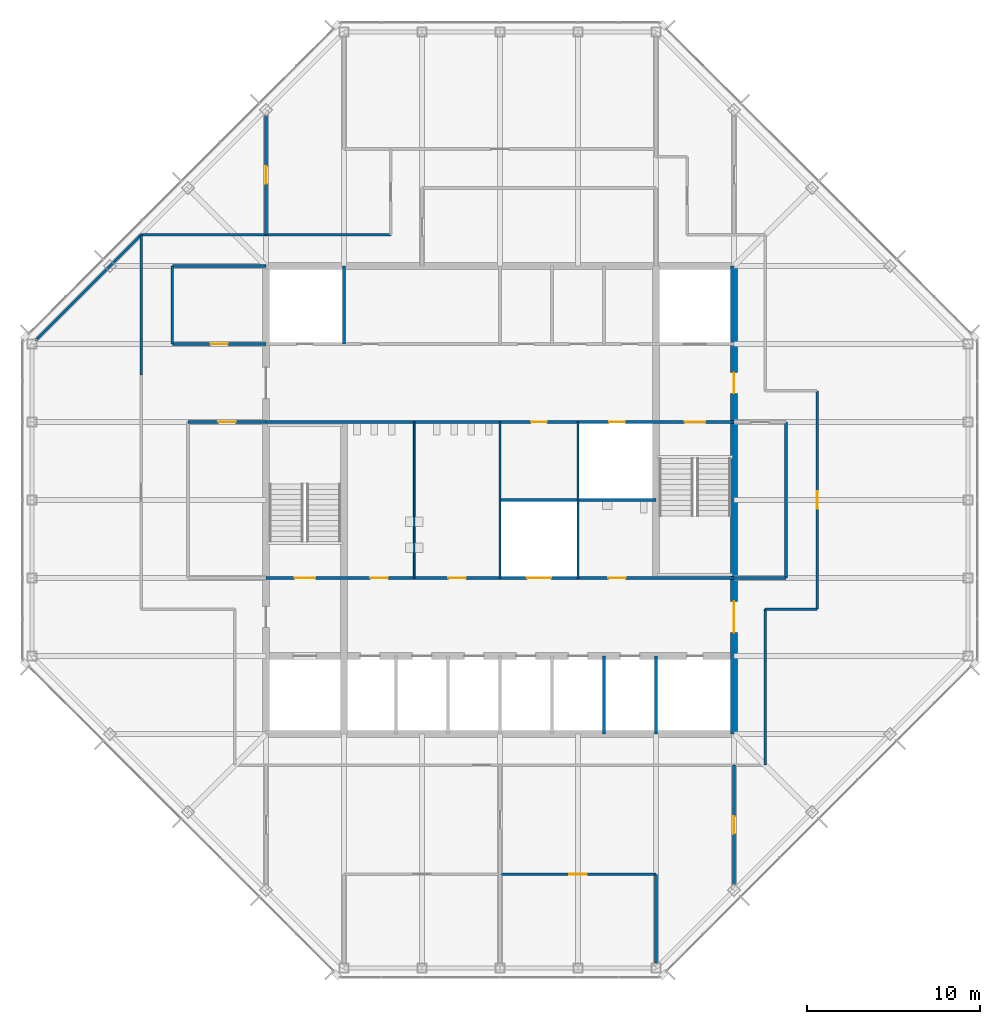
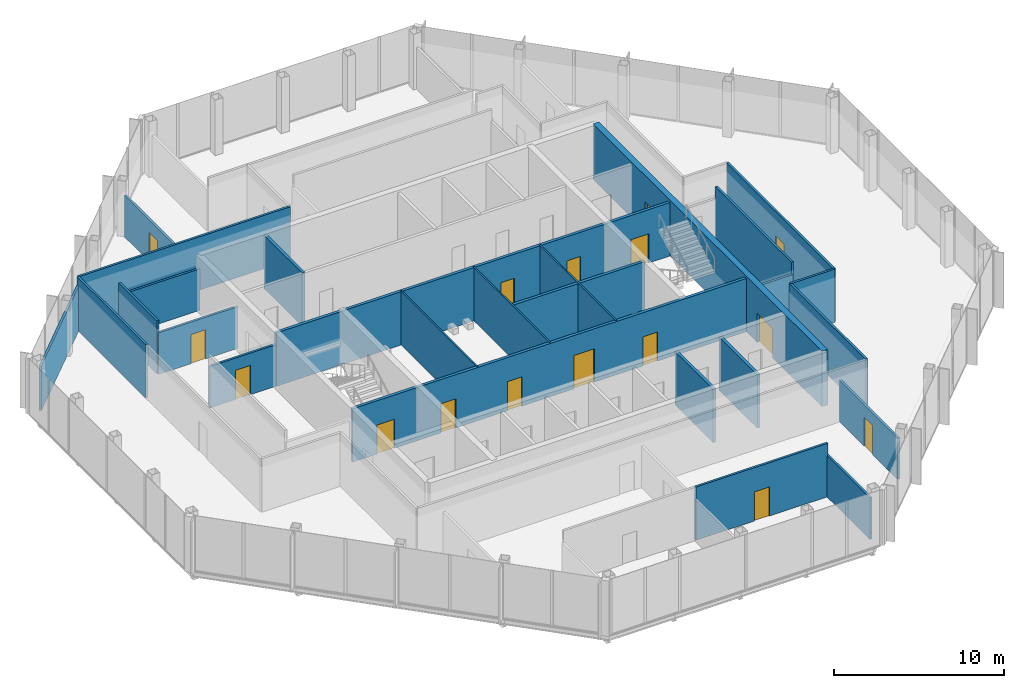
# One storey, part 10 of 13: 26 walls, 16 doors, 16 openings.
"""IFC4 building model written with IfcOpenShell, lengths in metres."""

from ifc_helpers import new_model, si_unit, direction, frame, frame_2d, origin, place, context, subcontext, project, spatial, rectangle, extrude, material, layer, layer_set, type_object, element, fill, save


model = new_model("IFC4")

# Units and contexts
model_context = context("Model", 3, precision=1e-05, world=origin(), true_north=direction((0.0, 1.0)))
body_context = subcontext(model_context, "Body", "Model", "MODEL_VIEW")
ifc_project = project(units=[si_unit("LENGTHUNIT", "METRE"), si_unit("AREAUNIT", "SQUARE_METRE"), si_unit("VOLUMEUNIT", "CUBIC_METRE"), si_unit("PLANEANGLEUNIT", "RADIAN"), si_unit("MASSUNIT", "GRAM", prefix="KILO")], contexts=[model_context])

# Site, building, storey
site_placement = place(None, origin())
site = spatial("IfcSite", under=ifc_project, at=site_placement, CompositionType="ELEMENT")
building_placement = place(site_placement, origin())
building = spatial("IfcBuilding", under=site, at=building_placement, Name="Corais Broadcast Tower", CompositionType="ELEMENT")
storey_placement = place(building_placement, frame((0.0, 0.0, 302.60009765625)))
storey = spatial("IfcBuildingStorey", under=building, at=storey_placement, Name="L71", CompositionType="ELEMENT", Elevation=302.60009765625)

# Walls
ifc_material_1 = material(Name="Concrete blockwork class A, grouted, two-hour", Category="masonry")
ifc_layer_1 = layer(ifc_material_1, 0.199951171875)
ifc_layer_set_1 = layer_set([ifc_layer_1], Name="Concrete blockwork class A, grouted, two-hour")
wall_type_1 = type_object("IfcWallType", Name="Core lobby wall 200", PredefinedType="SOLIDWALL", material=ifc_layer_set_1)
for number, where, z_axis, x_axis, name in (
    (1, (18.0, 36.0, 0.0), (0.0, 0.0, 1.0), (0.0, 1.0, 0.0), "CL3 core shaft wall X18B L71"),
    (2, (36.0, 13.5, 0.0), (0.0, 0.0, 1.0), (0.0, 1.0, 0.0), "CL3 core shaft wall X36A L71"),
):
    element("IfcWall", number, at=place(storey_placement, frame(where, z_axis=z_axis, x_axis=x_axis)), inside=storey, type_object=wall_type_1, Name=name, PredefinedType="SOLIDWALL", context=body_context, shape_type="SweptSolid", body=[
        extrude(rectangle(XDim=4.5, YDim=0.199951171875, at=frame_2d((2.25, 0.0))), origin(), (0.0, 0.0, 1.0), 3.83984375),
    ])

# Wall, openings, doors
wall_1_placement = place(storey_placement, frame((13.5, 22.5, 0.0), z_axis=(0.0, 0.0, 1.0), x_axis=(1.0, 0.0, 0.0)))
wall_1 = element("IfcWall", 3, at=wall_1_placement, inside=storey, type_object=wall_type_1, Name="CL3 core lobby wall Y225 L71", PredefinedType="SOLIDWALL", context=body_context, shape_type="SweptSolid", body=[
    extrude(rectangle(XDim=27.0, YDim=0.199951171875, at=frame_2d((13.5, 0.0))), origin(), (0.0, 0.0, 1.0), 3.83984375),
])
opening_1_placement = place(wall_1_placement, frame((1.64990234375, 0.0, 0.0)))
opening_1 = element("IfcOpeningElement", 4, at=opening_1_placement, cuts=wall_1, Name="Opening FD1", PredefinedType="OPENING", context=body_context, shape_type="SweptSolid", body=[
    extrude(rectangle(XDim=1.199951171875, YDim=2.10009765625, at=frame_2d((0.60009765625, 1.050048828125))), frame((0.0, 0.10986328125, 0.0), z_axis=(0.0, -1.0, 0.0), x_axis=(1.0, 0.0, 0.0)), (0.0, 0.0, 1.0), 0.219970703125),
])
opening_2_placement = place(wall_1_placement, frame((6.02490234375, 0.0, 0.0)))
opening_2 = element("IfcOpeningElement", 5, at=opening_2_placement, cuts=wall_1, Name="Opening WD1", PredefinedType="OPENING", context=body_context, shape_type="SweptSolid", body=[
    extrude(rectangle(XDim=1.0, YDim=2.10009765625, at=frame_2d((0.5, 1.050048828125))), frame((0.0, 0.10986328125, 0.0), z_axis=(0.0, -1.0, 0.0), x_axis=(1.0, 0.0, 0.0)), (0.0, 0.0, 1.0), 0.219970703125),
])
opening_3_placement = place(wall_1_placement, frame((10.52490234375, 0.0, 0.0)))
opening_3 = element("IfcOpeningElement", 6, at=opening_3_placement, cuts=wall_1, Name="Opening WD1", PredefinedType="OPENING", context=body_context, shape_type="SweptSolid", body=[
    extrude(rectangle(XDim=1.0, YDim=2.10009765625, at=frame_2d((0.5, 1.050048828125))), frame((0.0, 0.10986328125, 0.0), z_axis=(0.0, -1.0, 0.0), x_axis=(1.0, 0.0, 0.0)), (0.0, 0.0, 1.0), 0.219970703125),
])
opening_4_placement = place(wall_1_placement, frame((19.75, 0.0, 0.0)))
opening_4 = element("IfcOpeningElement", 7, at=opening_4_placement, cuts=wall_1, Name="Opening WD1", PredefinedType="OPENING", context=body_context, shape_type="SweptSolid", body=[
    extrude(rectangle(XDim=1.0, YDim=2.10009765625, at=frame_2d((0.5, 1.050048828125))), frame((0.0, 0.10986328125, 0.0), z_axis=(0.0, -1.0, 0.0), x_axis=(1.0, 0.0, 0.0)), (0.0, 0.0, 1.0), 0.219970703125),
])
opening_5_placement = place(wall_1_placement, frame((15.050048828125, 0.0, 0.0)))
opening_5 = element("IfcOpeningElement", 8, at=opening_5_placement, cuts=wall_1, Name="Opening LD3", PredefinedType="OPENING", context=body_context, shape_type="SweptSolid", body=[
    extrude(rectangle(XDim=1.39990234375, YDim=2.39990234375, at=frame_2d((0.699951171875, 1.199951171875))), frame((0.0, 0.10986328125, 0.0), z_axis=(0.0, -1.0, 0.0), x_axis=(1.0, 0.0, 0.0)), (0.0, 0.0, 1.0), 0.219970703125),
])
ifc_material_2 = material(Name="Steel fire door", Category="steel")
door_type_1 = type_object("IfcDoorType", Name="Fire door 1200x2100", OperationType="SINGLE_SWING_LEFT", PredefinedType="DOOR", material=ifc_material_2)
door_1_placement = place(opening_1_placement, origin())
door_1 = element("IfcDoor", 9, at=door_1_placement, inside=storey, type_object=door_type_1, Name="FD1 stair A door L71", OperationType="SINGLE_SWING_LEFT", OverallHeight=2.10009765625, OverallWidth=1.199951171875, PredefinedType="DOOR", context=body_context, shape_type="SweptSolid", body=[
    extrude(rectangle(XDim=1.199951171875, YDim=2.10009765625, at=frame_2d((0.60009765625, 1.050048828125))), frame((0.0, 0.02490234375, 0.0), z_axis=(0.0, -1.0, 0.0), x_axis=(1.0, 0.0, 0.0)), (0.0, 0.0, 1.0), 0.050048828125),
])
fill(opening_1, door_1)
ifc_material_3 = material(Name="Stainless steel lift door", Category="steel")
door_type_2 = type_object("IfcDoorType", Name="Service lift landing door 1400x2400", OperationType="SLIDING_TO_LEFT", PredefinedType="DOOR", material=ifc_material_3)
door_2_placement = place(opening_5_placement, origin())
door_2 = element("IfcDoor", 10, at=door_2_placement, inside=storey, type_object=door_type_2, Name="LD3 SL1 landing door L71", OperationType="SLIDING_TO_LEFT", OverallHeight=2.39990234375, OverallWidth=1.39990234375, PredefinedType="DOOR", context=body_context, shape_type="SweptSolid", body=[
    extrude(rectangle(XDim=1.39990234375, YDim=2.39990234375, at=frame_2d((0.699951171875, 1.199951171875))), frame((0.0, 0.02490234375, 0.0), z_axis=(0.0, -1.0, 0.0), x_axis=(1.0, 0.0, 0.0)), (0.0, 0.0, 1.0), 0.050048828125),
])
fill(opening_5, door_2)
ifc_material_4 = material(Name="Timber door", Category="wood")
door_type_3 = type_object("IfcDoorType", Name="Toilet door 1000x2100", OperationType="SINGLE_SWING_LEFT", PredefinedType="DOOR", material=ifc_material_4)
door_3_placement = place(opening_2_placement, origin())
door_3 = element("IfcDoor", 11, at=door_3_placement, inside=storey, type_object=door_type_3, Name="WD1 WC male door L71", OperationType="SINGLE_SWING_LEFT", OverallHeight=2.10009765625, OverallWidth=1.0, PredefinedType="DOOR", context=body_context, shape_type="SweptSolid", body=[
    extrude(rectangle(XDim=1.0, YDim=2.10009765625, at=frame_2d((0.5, 1.050048828125))), frame((0.0, 0.02490234375, 0.0), z_axis=(0.0, -1.0, 0.0), x_axis=(1.0, 0.0, 0.0)), (0.0, 0.0, 1.0), 0.050048828125),
])
fill(opening_2, door_3)
door_4_placement = place(opening_3_placement, origin())
door_4 = element("IfcDoor", 12, at=door_4_placement, inside=storey, type_object=door_type_3, Name="WD1 WC female door L71", OperationType="SINGLE_SWING_LEFT", OverallHeight=2.10009765625, OverallWidth=1.0, PredefinedType="DOOR", context=body_context, shape_type="SweptSolid", body=[
    extrude(rectangle(XDim=1.0, YDim=2.10009765625, at=frame_2d((0.5, 1.050048828125))), frame((0.0, 0.02490234375, 0.0), z_axis=(0.0, -1.0, 0.0), x_axis=(1.0, 0.0, 0.0)), (0.0, 0.0, 1.0), 0.050048828125),
])
fill(opening_3, door_4)
door_5_placement = place(opening_4_placement, origin())
door_5 = element("IfcDoor", 13, at=door_5_placement, inside=storey, type_object=door_type_3, Name="WD1 accessible WC door L71", OperationType="SINGLE_SWING_RIGHT", OverallHeight=2.10009765625, OverallWidth=1.0, PredefinedType="DOOR", context=body_context, shape_type="SweptSolid", body=[
    extrude(rectangle(XDim=1.0, YDim=2.10009765625, at=frame_2d((0.5, 1.050048828125))), frame((0.0, 0.02490234375, 0.0), z_axis=(0.0, -1.0, 0.0), x_axis=(1.0, 0.0, 0.0)), (0.0, 0.0, 1.0), 0.050048828125),
])
fill(opening_4, door_5)

wall_2_placement = place(storey_placement, frame((13.5, 31.5, 0.0), z_axis=(0.0, 0.0, 1.0), x_axis=(1.0, 0.0, 0.0)))
wall_2 = element("IfcWall", 14, at=wall_2_placement, inside=storey, type_object=wall_type_1, Name="CL3 core lobby wall Y315 L71", PredefinedType="SOLIDWALL", context=body_context, shape_type="SweptSolid", body=[
    extrude(rectangle(XDim=27.0, YDim=0.199951171875, at=frame_2d((13.5, 0.0))), origin(), (0.0, 0.0, 1.0), 3.83984375),
])
opening_6_placement = place(wall_2_placement, frame((24.14990234375, 0.0, 0.0)))
opening_6 = element("IfcOpeningElement", 15, at=opening_6_placement, cuts=wall_2, Name="Opening FD1", PredefinedType="OPENING", context=body_context, shape_type="SweptSolid", body=[
    extrude(rectangle(XDim=1.199951171875, YDim=2.10009765625, at=frame_2d((0.60009765625, 1.050048828125))), frame((0.0, 0.10986328125, 0.0), z_axis=(0.0, -1.0, 0.0), x_axis=(1.0, 0.0, 0.0)), (0.0, 0.0, 1.0), 0.219970703125),
])
opening_7_placement = place(wall_2_placement, frame((15.300048828125, 0.0, 0.0)))
opening_7 = element("IfcOpeningElement", 16, at=opening_7_placement, cuts=wall_2, Name="Opening RD1", PredefinedType="OPENING", context=body_context, shape_type="SweptSolid", body=[
    extrude(rectangle(XDim=0.89990234375, YDim=2.10009765625, at=frame_2d((0.449951171875, 1.050048828125))), frame((0.0, 0.10986328125, 0.0), z_axis=(0.0, -1.0, 0.0), x_axis=(1.0, 0.0, 0.0)), (0.0, 0.0, 1.0), 0.219970703125),
])
opening_8_placement = place(wall_2_placement, frame((19.800048828125, 0.0, 0.0)))
opening_8 = element("IfcOpeningElement", 17, at=opening_8_placement, cuts=wall_2, Name="Opening RD1", PredefinedType="OPENING", context=body_context, shape_type="SweptSolid", body=[
    extrude(rectangle(XDim=0.89990234375, YDim=2.10009765625, at=frame_2d((0.449951171875, 1.050048828125))), frame((0.0, 0.10986328125, 0.0), z_axis=(0.0, -1.0, 0.0), x_axis=(1.0, 0.0, 0.0)), (0.0, 0.0, 1.0), 0.219970703125),
])
door_6_placement = place(opening_6_placement, origin())
door_6 = element("IfcDoor", 18, at=door_6_placement, inside=storey, type_object=door_type_1, Name="FD1 stair B door L71", OperationType="SINGLE_SWING_RIGHT", OverallHeight=2.10009765625, OverallWidth=1.199951171875, PredefinedType="DOOR", context=body_context, shape_type="SweptSolid", body=[
    extrude(rectangle(XDim=1.199951171875, YDim=2.10009765625, at=frame_2d((0.60009765625, 1.050048828125))), frame((0.0, 0.02490234375, 0.0), z_axis=(0.0, -1.0, 0.0), x_axis=(1.0, 0.0, 0.0)), (0.0, 0.0, 1.0), 0.050048828125),
])
fill(opening_6, door_6)
ifc_material_5 = material(Name="Steel fire door", Category="steel")
door_type_4 = type_object("IfcDoorType", Name="Riser door 900x2100", OperationType="SINGLE_SWING_LEFT", PredefinedType="DOOR", material=ifc_material_5)
door_7_placement = place(opening_7_placement, origin())
door_7 = element("IfcDoor", 19, at=door_7_placement, inside=storey, type_object=door_type_4, Name="RD1 tea point door L71", OperationType="SINGLE_SWING_RIGHT", OverallHeight=2.10009765625, OverallWidth=0.89990234375, PredefinedType="DOOR", context=body_context, shape_type="SweptSolid", body=[
    extrude(rectangle(XDim=0.89990234375, YDim=2.10009765625, at=frame_2d((0.449951171875, 1.050048828125))), frame((0.0, 0.02490234375, 0.0), z_axis=(0.0, -1.0, 0.0), x_axis=(1.0, 0.0, 0.0)), (0.0, 0.0, 1.0), 0.050048828125),
])
fill(opening_7, door_7)
door_8_placement = place(opening_8_placement, origin())
door_8 = element("IfcDoor", 20, at=door_8_placement, inside=storey, type_object=door_type_4, Name="RD1 riser door L71", OperationType="SINGLE_SWING_RIGHT", OverallHeight=2.10009765625, OverallWidth=0.89990234375, PredefinedType="DOOR", context=body_context, shape_type="SweptSolid", body=[
    extrude(rectangle(XDim=0.89990234375, YDim=2.10009765625, at=frame_2d((0.449951171875, 1.050048828125))), frame((0.0, 0.02490234375, 0.0), z_axis=(0.0, -1.0, 0.0), x_axis=(1.0, 0.0, 0.0)), (0.0, 0.0, 1.0), 0.050048828125),
])
fill(opening_8, door_8)

ifc_material_6 = material(Name="Concrete C50/60", Category="concrete")
ifc_layer_2 = layer(ifc_material_6, 0.39990234375)
ifc_layer_set_2 = layer_set([ifc_layer_2], Name="Concrete C50/60")
wall_type_2 = type_object("IfcWallType", Name="Core wall 400", PredefinedType="SHEAR", material=ifc_layer_set_2)
wall_3_placement = place(storey_placement, frame((40.5, 13.5, 0.0), z_axis=(0.0, 0.0, 1.0), x_axis=(0.0, 1.0, 0.0)))
wall_3 = element("IfcWall", 21, at=wall_3_placement, inside=storey, type_object=wall_type_2, Name="CR400 core wall E L71", PredefinedType="SHEAR", context=body_context, shape_type="SweptSolid", body=[
    extrude(rectangle(XDim=27.0, YDim=0.39990234375, at=frame_2d((13.5, 0.0))), origin(), (0.0, 0.0, 1.0), 4.0),
])
opening_9_placement = place(wall_3_placement, frame((5.85009765625, 0.0, 0.0)))
opening_9 = element("IfcOpeningElement", 22, at=opening_9_placement, cuts=wall_3, Name="Opening FD2", PredefinedType="OPENING", context=body_context, shape_type="SweptSolid", body=[
    extrude(rectangle(XDim=1.800048828125, YDim=2.10009765625, at=frame_2d((0.89990234375, 1.050048828125))), frame((0.0, 0.2099609375, 0.0), z_axis=(0.0, -1.0, 0.0), x_axis=(1.0, 0.0, 0.0)), (0.0, 0.0, 1.0), 0.419921875),
])
opening_10_placement = place(wall_3_placement, frame((19.64990234375, 0.0, 0.0)))
opening_10 = element("IfcOpeningElement", 23, at=opening_10_placement, cuts=wall_3, Name="Opening FD1", PredefinedType="OPENING", context=body_context, shape_type="SweptSolid", body=[
    extrude(rectangle(XDim=1.199951171875, YDim=2.10009765625, at=frame_2d((0.60009765625, 1.050048828125))), frame((0.0, 0.2099609375, 0.0), z_axis=(0.0, -1.0, 0.0), x_axis=(1.0, 0.0, 0.0)), (0.0, 0.0, 1.0), 0.419921875),
])
door_9_placement = place(opening_10_placement, origin())
door_9 = element("IfcDoor", 24, at=door_9_placement, inside=storey, type_object=door_type_1, Name="FD1 fire lobby B door L71", OperationType="SINGLE_SWING_RIGHT", OverallHeight=2.10009765625, OverallWidth=1.199951171875, PredefinedType="DOOR", context=body_context, shape_type="SweptSolid", body=[
    extrude(rectangle(XDim=1.199951171875, YDim=2.10009765625, at=frame_2d((0.60009765625, 1.050048828125))), frame((0.0, 0.02490234375, 0.0), z_axis=(0.0, -1.0, 0.0), x_axis=(1.0, 0.0, 0.0)), (0.0, 0.0, 1.0), 0.050048828125),
])
fill(opening_10, door_9)
ifc_material_7 = material(Name="Steel fire door", Category="steel")
door_type_5 = type_object("IfcDoorType", Name="Fire door pair 1800x2100", OperationType="DOUBLE_DOOR_SINGLE_SWING", PredefinedType="DOOR", material=ifc_material_7)
door_10_placement = place(opening_9_placement, origin())
door_10 = element("IfcDoor", 25, at=door_10_placement, inside=storey, type_object=door_type_5, Name="FD2 lift lobby door L71", OperationType="SINGLE_SWING_LEFT", OverallHeight=2.10009765625, OverallWidth=1.800048828125, PredefinedType="DOOR", context=body_context, shape_type="SweptSolid", body=[
    extrude(rectangle(XDim=1.800048828125, YDim=2.10009765625, at=frame_2d((0.89990234375, 1.050048828125))), frame((0.0, 0.02490234375, 0.0), z_axis=(0.0, -1.0, 0.0), x_axis=(1.0, 0.0, 0.0)), (0.0, 0.0, 1.0), 0.050048828125),
])
fill(opening_9, door_10)

# Wall, opening, door
ifc_material_8 = material(Name="Gypsum board on steel studs", Category="steel")
ifc_layer_3 = layer(ifc_material_8, 0.14990234375)
ifc_layer_set_3 = layer_set([ifc_layer_3], Name="Gypsum board on steel studs")
wall_type_3 = type_object("IfcWallType", Name="Partition 150", PredefinedType="PARTITIONING", material=ifc_layer_set_3)
wall_4_placement = place(storey_placement, frame((45.300048828125, 20.699951171875, 0.0), z_axis=(0.0, 0.0, 1.0), x_axis=(0.0, 1.0, 0.0)))
wall_4 = element("IfcWall", 26, at=wall_4_placement, inside=storey, type_object=wall_type_3, Name="IW3 corridor wall L71", PredefinedType="PARTITIONING", context=body_context, shape_type="SweptSolid", body=[
    extrude(rectangle(XDim=12.60009765625, YDim=0.14990234375, at=frame_2d((6.300048828125, 0.0))), origin(), (0.0, 0.0, 1.0), 3.83984375),
])
opening_11_placement = place(wall_4_placement, frame((5.800048828125, 0.0, 0.0)))
opening_11 = element("IfcOpeningElement", 27, at=opening_11_placement, cuts=wall_4, Name="Opening D1", PredefinedType="OPENING", context=body_context, shape_type="SweptSolid", body=[
    extrude(rectangle(XDim=1.0, YDim=2.10009765625, at=frame_2d((0.5, 1.050048828125))), frame((0.0, 0.0849609375, 0.0), z_axis=(0.0, -1.0, 0.0), x_axis=(1.0, 0.0, 0.0)), (0.0, 0.0, 1.0), 0.169921875),
])
ifc_material_9 = material(Name="Timber door", Category="wood")
door_type_6 = type_object("IfcDoorType", Name="Single door 1000x2100", OperationType="SINGLE_SWING_LEFT", PredefinedType="DOOR", material=ifc_material_9)
door_11_placement = place(opening_11_placement, origin())
door_11 = element("IfcDoor", 28, at=door_11_placement, inside=storey, type_object=door_type_6, Name="D1 workplace door L71", OperationType="SINGLE_SWING_LEFT", OverallHeight=2.10009765625, OverallWidth=1.0, PredefinedType="DOOR", context=body_context, shape_type="SweptSolid", body=[
    extrude(rectangle(XDim=1.0, YDim=2.10009765625, at=frame_2d((0.5, 1.050048828125))), frame((0.0, 0.02490234375, 0.0), z_axis=(0.0, -1.0, 0.0), x_axis=(1.0, 0.0, 0.0)), (0.0, 0.0, 1.0), 0.050048828125),
])
fill(opening_11, door_11)

# Walls
wall_5_placement = place(storey_placement, frame((42.300048828125, 11.699951171875, 0.0), z_axis=(0.0, 0.0, 1.0), x_axis=(0.0, 1.0, 0.0)))
element("IfcWall", 29, at=wall_5_placement, inside=storey, type_object=wall_type_3, Name="IW3 corridor wall L71", PredefinedType="PARTITIONING", context=body_context, shape_type="SweptSolid", body=[
    extrude(rectangle(XDim=9.0, YDim=0.14990234375, at=frame_2d((4.5, 0.0))), origin(), (0.0, 0.0, 1.0), 3.83984375),
])
wall_6_placement = place(storey_placement, frame((0.201416015625, 36.201416015625, 0.0), z_axis=(0.0, 0.0, 1.0), x_axis=(0.707106781187, 0.707106781187, 0.0)))
element("IfcWall", 30, at=wall_6_placement, inside=storey, type_object=wall_type_3, Name="IW3 corridor wall L71", PredefinedType="PARTITIONING", context=body_context, shape_type="SweptSolid", body=[
    extrude(rectangle(XDim=8.624755859375, YDim=0.14990234375, at=frame_2d((4.3125, 0.0))), origin(), (0.0, 0.0, 1.0), 3.222900390625),
])
wall_7_placement = place(storey_placement, frame((6.300048828125, 42.300048828125, 0.0), z_axis=(0.0, 0.0, 1.0), x_axis=(0.0, -1.0, 0.0)))
element("IfcWall", 31, at=wall_7_placement, inside=storey, type_object=wall_type_3, Name="IW3 corridor wall L71", PredefinedType="PARTITIONING", context=body_context, shape_type="SweptSolid", body=[
    extrude(rectangle(XDim=8.10009765625, YDim=0.14990234375, at=frame_2d((4.050048828125, 0.0))), origin(), (0.0, 0.0, 1.0), 3.83984375),
])
wall_8_placement = place(storey_placement, frame((42.300048828125, 20.699951171875, 0.0), z_axis=(0.0, 0.0, 1.0), x_axis=(1.0, 0.0, 0.0)))
element("IfcWall", 32, at=wall_8_placement, inside=storey, type_object=wall_type_3, Name="IW3 corridor wall L71", PredefinedType="PARTITIONING", context=body_context, shape_type="SweptSolid", body=[
    extrude(rectangle(XDim=3.0, YDim=0.14990234375, at=frame_2d((1.5, 0.0))), origin(), (0.0, 0.0, 1.0), 3.83984375),
])
wall_9_placement = place(storey_placement, frame((20.699951171875, 42.300048828125, 0.0), z_axis=(0.0, 0.0, 1.0), x_axis=(-1.0, 0.0, 0.0)))
element("IfcWall", 33, at=wall_9_placement, inside=storey, type_object=wall_type_3, Name="IW3 corridor wall L71", PredefinedType="PARTITIONING", context=body_context, shape_type="SweptSolid", body=[
    extrude(rectangle(XDim=14.39990234375, YDim=0.14990234375, at=frame_2d((7.199951171875, 0.0))), origin(), (0.0, 0.0, 1.0), 3.83984375),
])
wall_10_placement = place(storey_placement, frame((36.0, 0.284912109375, 0.0), z_axis=(0.0, 0.0, 1.0), x_axis=(0.0, 1.0, 0.0)))
element("IfcWall", 34, at=wall_10_placement, inside=storey, type_object=wall_type_3, Name="IW3 partition L71", PredefinedType="PARTITIONING", context=body_context, shape_type="SweptSolid", body=[
    extrude(rectangle(XDim=5.114990234375, YDim=0.14990234375, at=frame_2d((2.5576171875, 0.0))), origin(), (0.0, 0.0, 1.0), 2.989013671875),
])

# Wall, opening, door
wall_11_placement = place(storey_placement, frame((36.0, 5.39990234375, 0.0), z_axis=(0.0, 0.0, 1.0), x_axis=(-1.0, 0.0, 0.0)))
wall_11 = element("IfcWall", 35, at=wall_11_placement, inside=storey, type_object=wall_type_3, Name="IW3 partition L71", PredefinedType="PARTITIONING", context=body_context, shape_type="SweptSolid", body=[
    extrude(rectangle(XDim=9.0, YDim=0.14990234375, at=frame_2d((4.5, 0.0))), origin(), (0.0, 0.0, 1.0), 3.83984375),
])
opening_12_placement = place(wall_11_placement, frame((4.0, 0.0, 0.0)))
opening_12 = element("IfcOpeningElement", 36, at=opening_12_placement, cuts=wall_11, Name="Opening D1", PredefinedType="OPENING", context=body_context, shape_type="SweptSolid", body=[
    extrude(rectangle(XDim=1.0, YDim=2.10009765625, at=frame_2d((0.5, 1.050048828125))), frame((0.0, 0.0849609375, 0.0), z_axis=(0.0, -1.0, 0.0), x_axis=(1.0, 0.0, 0.0)), (0.0, 0.0, 1.0), 0.169921875),
])
door_12_placement = place(opening_12_placement, origin())
door_12 = element("IfcDoor", 37, at=door_12_placement, inside=storey, type_object=door_type_6, Name="D1 Hospitality meeting room door", OperationType="SINGLE_SWING_LEFT", OverallHeight=2.10009765625, OverallWidth=1.0, PredefinedType="DOOR", context=body_context, shape_type="SweptSolid", body=[
    extrude(rectangle(XDim=1.0, YDim=2.10009765625, at=frame_2d((0.5, 1.050048828125))), frame((0.0, 0.02490234375, 0.0), z_axis=(0.0, -1.0, 0.0), x_axis=(1.0, 0.0, 0.0)), (0.0, 0.0, 1.0), 0.050048828125),
])
fill(opening_12, door_12)

# Walls
wall_12_placement = place(storey_placement, frame((40.5, 22.5, 0.0), z_axis=(0.0, 0.0, 1.0), x_axis=(1.0, 0.0, 0.0)))
element("IfcWall", 38, at=wall_12_placement, inside=storey, type_object=wall_type_3, Name="IW3 partition L71", PredefinedType="PARTITIONING", context=body_context, shape_type="SweptSolid", body=[
    extrude(rectangle(XDim=3.0, YDim=0.14990234375, at=frame_2d((1.5, 0.0))), origin(), (0.0, 0.0, 1.0), 2.989013671875),
])
wall_13_placement = place(storey_placement, frame((43.5, 22.5, 0.0), z_axis=(0.0, 0.0, 1.0), x_axis=(0.0, 1.0, 0.0)))
element("IfcWall", 39, at=wall_13_placement, inside=storey, type_object=wall_type_3, Name="IW3 partition L71", PredefinedType="PARTITIONING", context=body_context, shape_type="SweptSolid", body=[
    extrude(rectangle(XDim=9.0, YDim=0.14990234375, at=frame_2d((4.5, 0.0))), origin(), (0.0, 0.0, 1.0), 3.83984375),
])

# Wall, opening, door
wall_14_placement = place(storey_placement, frame((13.5, 31.5, 0.0), z_axis=(0.0, 0.0, 1.0), x_axis=(-1.0, 0.0, 0.0)))
wall_14 = element("IfcWall", 40, at=wall_14_placement, inside=storey, type_object=wall_type_3, Name="IW3 partition L71", PredefinedType="PARTITIONING", context=body_context, shape_type="SweptSolid", body=[
    extrude(rectangle(XDim=4.5, YDim=0.14990234375, at=frame_2d((2.25, 0.0))), origin(), (0.0, 0.0, 1.0), 2.989013671875),
])
opening_13_placement = place(wall_14_placement, frame((1.75, 0.0, 0.0)))
opening_13 = element("IfcOpeningElement", 41, at=opening_13_placement, cuts=wall_14, Name="Opening D1", PredefinedType="OPENING", context=body_context, shape_type="SweptSolid", body=[
    extrude(rectangle(XDim=1.0, YDim=2.10009765625, at=frame_2d((0.5, 1.050048828125))), frame((0.0, 0.0849609375, 0.0), z_axis=(0.0, -1.0, 0.0), x_axis=(1.0, 0.0, 0.0)), (0.0, 0.0, 1.0), 0.169921875),
])
door_13_placement = place(opening_13_placement, origin())
door_13 = element("IfcDoor", 42, at=door_13_placement, inside=storey, type_object=door_type_6, Name="D1 Concierge door", OperationType="SINGLE_SWING_LEFT", OverallHeight=2.10009765625, OverallWidth=1.0, PredefinedType="DOOR", context=body_context, shape_type="SweptSolid", body=[
    extrude(rectangle(XDim=1.0, YDim=2.10009765625, at=frame_2d((0.5, 1.050048828125))), frame((0.0, 0.02490234375, 0.0), z_axis=(0.0, -1.0, 0.0), x_axis=(1.0, 0.0, 0.0)), (0.0, 0.0, 1.0), 0.050048828125),
])
fill(opening_13, door_13)

wall_15_placement = place(storey_placement, frame((8.10009765625, 36.0, 0.0), z_axis=(0.0, 0.0, 1.0), x_axis=(1.0, 0.0, 0.0)))
wall_15 = element("IfcWall", 43, at=wall_15_placement, inside=storey, type_object=wall_type_3, Name="IW3 partition L71", PredefinedType="PARTITIONING", context=body_context, shape_type="SweptSolid", body=[
    extrude(rectangle(XDim=5.39990234375, YDim=0.14990234375, at=frame_2d((2.699951171875, 0.0))), origin(), (0.0, 0.0, 1.0), 2.989013671875),
])
opening_14_placement = place(wall_15_placement, frame((2.199951171875, 0.0, 0.0)))
opening_14 = element("IfcOpeningElement", 44, at=opening_14_placement, cuts=wall_15, Name="Opening D1", PredefinedType="OPENING", context=body_context, shape_type="SweptSolid", body=[
    extrude(rectangle(XDim=1.0, YDim=2.10009765625, at=frame_2d((0.5, 1.050048828125))), frame((0.0, 0.0849609375, 0.0), z_axis=(0.0, -1.0, 0.0), x_axis=(1.0, 0.0, 0.0)), (0.0, 0.0, 1.0), 0.169921875),
])
door_14_placement = place(opening_14_placement, origin())
door_14 = element("IfcDoor", 45, at=door_14_placement, inside=storey, type_object=door_type_6, Name="D1 Cloakroom door", OperationType="SINGLE_SWING_LEFT", OverallHeight=2.10009765625, OverallWidth=1.0, PredefinedType="DOOR", context=body_context, shape_type="SweptSolid", body=[
    extrude(rectangle(XDim=1.0, YDim=2.10009765625, at=frame_2d((0.5, 1.050048828125))), frame((0.0, 0.02490234375, 0.0), z_axis=(0.0, -1.0, 0.0), x_axis=(1.0, 0.0, 0.0)), (0.0, 0.0, 1.0), 0.050048828125),
])
fill(opening_14, door_14)

# Walls
wall_16_placement = place(storey_placement, frame((13.5, 40.5, 0.0), z_axis=(0.0, 0.0, 1.0), x_axis=(-1.0, 0.0, 0.0)))
element("IfcWall", 46, at=wall_16_placement, inside=storey, type_object=wall_type_3, Name="IW3 partition L71", PredefinedType="PARTITIONING", context=body_context, shape_type="SweptSolid", body=[
    extrude(rectangle(XDim=5.39990234375, YDim=0.14990234375, at=frame_2d((2.699951171875, 0.0))), origin(), (0.0, 0.0, 1.0), 2.989013671875),
])
wall_17_placement = place(storey_placement, frame((8.10009765625, 40.5, 0.0), z_axis=(0.0, 0.0, 1.0), x_axis=(0.0, -1.0, 0.0)))
element("IfcWall", 47, at=wall_17_placement, inside=storey, type_object=wall_type_3, Name="IW3 partition L71", PredefinedType="PARTITIONING", context=body_context, shape_type="SweptSolid", body=[
    extrude(rectangle(XDim=4.5, YDim=0.14990234375, at=frame_2d((2.25, 0.0))), origin(), (0.0, 0.0, 1.0), 3.83984375),
])

# Wall, opening, door
wall_18_placement = place(storey_placement, frame((40.5, 4.794921875, 0.0), z_axis=(0.0, 0.0, 1.0), x_axis=(0.0, 1.0, 0.0)))
wall_18 = element("IfcWall", 48, at=wall_18_placement, inside=storey, type_object=wall_type_3, Name="IW3 partition L71", PredefinedType="PARTITIONING", context=body_context, shape_type="SweptSolid", body=[
    extrude(rectangle(XDim=6.905029296875, YDim=0.14990234375, at=frame_2d((3.45263671875, 0.0))), origin(), (0.0, 0.0, 1.0), 2.989013671875),
])
opening_15_placement = place(wall_18_placement, frame((2.952392578125, 0.0, 0.0)))
opening_15 = element("IfcOpeningElement", 49, at=opening_15_placement, cuts=wall_18, Name="Opening D1", PredefinedType="OPENING", context=body_context, shape_type="SweptSolid", body=[
    extrude(rectangle(XDim=1.0, YDim=2.10009765625, at=frame_2d((0.5, 1.050048828125))), frame((0.0, 0.0849609375, 0.0), z_axis=(0.0, -1.0, 0.0), x_axis=(1.0, 0.0, 0.0)), (0.0, 0.0, 1.0), 0.169921875),
])
door_15_placement = place(opening_15_placement, origin())
door_15 = element("IfcDoor", 50, at=door_15_placement, inside=storey, type_object=door_type_6, Name="D1 team room door L71", OperationType="SINGLE_SWING_LEFT", OverallHeight=2.10009765625, OverallWidth=1.0, PredefinedType="DOOR", context=body_context, shape_type="SweptSolid", body=[
    extrude(rectangle(XDim=1.0, YDim=2.10009765625, at=frame_2d((0.5, 1.050048828125))), frame((0.0, 0.02490234375, 0.0), z_axis=(0.0, -1.0, 0.0), x_axis=(1.0, 0.0, 0.0)), (0.0, 0.0, 1.0), 0.050048828125),
])
fill(opening_15, door_15)

wall_19_placement = place(storey_placement, frame((13.5, 42.300048828125, 0.0), z_axis=(0.0, 0.0, 1.0), x_axis=(0.0, 1.0, 0.0)))
wall_19 = element("IfcWall", 51, at=wall_19_placement, inside=storey, type_object=wall_type_3, Name="IW3 partition L71", PredefinedType="PARTITIONING", context=body_context, shape_type="SweptSolid", body=[
    extrude(rectangle(XDim=6.905029296875, YDim=0.14990234375, at=frame_2d((3.45263671875, 0.0))), origin(), (0.0, 0.0, 1.0), 2.989013671875),
])
opening_16_placement = place(wall_19_placement, frame((2.952392578125, 0.0, 0.0)))
opening_16 = element("IfcOpeningElement", 52, at=opening_16_placement, cuts=wall_19, Name="Opening D1", PredefinedType="OPENING", context=body_context, shape_type="SweptSolid", body=[
    extrude(rectangle(XDim=1.0, YDim=2.10009765625, at=frame_2d((0.5, 1.050048828125))), frame((0.0, 0.0849609375, 0.0), z_axis=(0.0, -1.0, 0.0), x_axis=(1.0, 0.0, 0.0)), (0.0, 0.0, 1.0), 0.169921875),
])
door_16_placement = place(opening_16_placement, origin())
door_16 = element("IfcDoor", 53, at=door_16_placement, inside=storey, type_object=door_type_6, Name="D1 team room door L71", OperationType="SINGLE_SWING_LEFT", OverallHeight=2.10009765625, OverallWidth=1.0, PredefinedType="DOOR", context=body_context, shape_type="SweptSolid", body=[
    extrude(rectangle(XDim=1.0, YDim=2.10009765625, at=frame_2d((0.5, 1.050048828125))), frame((0.0, 0.02490234375, 0.0), z_axis=(0.0, -1.0, 0.0), x_axis=(1.0, 0.0, 0.0)), (0.0, 0.0, 1.0), 0.050048828125),
])
fill(opening_16, door_16)

# Walls
ifc_material_10 = material(Name="Concrete blockwork class A, grouted, two-hour", Category="masonry")
ifc_layer_4 = layer(ifc_material_10, 0.199951171875)
ifc_layer_set_4 = layer_set([ifc_layer_4], Name="Concrete blockwork class A, grouted, two-hour")
wall_type_4 = type_object("IfcWallType", Name="Shaft wall 200", PredefinedType="PARTITIONING", material=ifc_layer_set_4)
wall_20_placement = place(storey_placement, frame((33.0, 13.5, 0.0), z_axis=(0.0, 0.0, 1.0), x_axis=(0.0, 1.0, 0.0)))
element("IfcWall", 54, at=wall_20_placement, inside=storey, type_object=wall_type_4, Name="IW1 shaft wall L71", PredefinedType="PARTITIONING", context=body_context, shape_type="SweptSolid", body=[
    extrude(rectangle(XDim=4.5, YDim=0.199951171875, at=frame_2d((2.25, 0.0))), origin(), (0.0, 0.0, 1.0), 3.83984375),
])
wall_21_placement = place(storey_placement, frame((27.0, 27.0, 0.0), z_axis=(0.0, 0.0, 1.0), x_axis=(1.0, 0.0, 0.0)))
element("IfcWall", 55, at=wall_21_placement, inside=storey, type_object=wall_type_4, Name="IW1 shaft wall L71", PredefinedType="PARTITIONING", context=body_context, shape_type="SweptSolid", body=[
    extrude(rectangle(XDim=9.0, YDim=0.199951171875, at=frame_2d((4.5, 0.0))), origin(), (0.0, 0.0, 1.0), 3.83984375),
])
ifc_material_11 = material(Name="Dense concrete blockwork class A, tiled both faces", Category="masonry")
ifc_layer_5 = layer(ifc_material_11, 0.10009765625)
ifc_layer_set_5 = layer_set([ifc_layer_5], Name="Dense concrete blockwork class A, tiled both faces")
wall_type_5 = type_object("IfcWallType", Name="Toilet wall 100", PredefinedType="PLUMBINGWALL", material=ifc_layer_set_5)
for number, where, z_axis, x_axis, name in (
    (56, (22.050048828125, 22.5, 0.0), (0.0, 0.0, 1.0), (0.0, 1.0, 0.0), "IW2 toilet wall L71"),
    (57, (27.0, 22.5, 0.0), (0.0, 0.0, 1.0), (0.0, 1.0, 0.0), "IW2 toilet wall L71"),
    (58, (31.5, 22.5, 0.0), (0.0, 0.0, 1.0), (0.0, 1.0, 0.0), "IW2 toilet wall L71"),
):
    element("IfcWall", number, at=place(storey_placement, frame(where, z_axis=z_axis, x_axis=x_axis)), inside=storey, type_object=wall_type_5, Name=name, PredefinedType="PLUMBINGWALL", context=body_context, shape_type="SweptSolid", body=[
        extrude(rectangle(XDim=9.0, YDim=0.10009765625, at=frame_2d((4.5, 0.0))), origin(), (0.0, 0.0, 1.0), 3.83984375),
    ])

save(model, "model.ifc")
